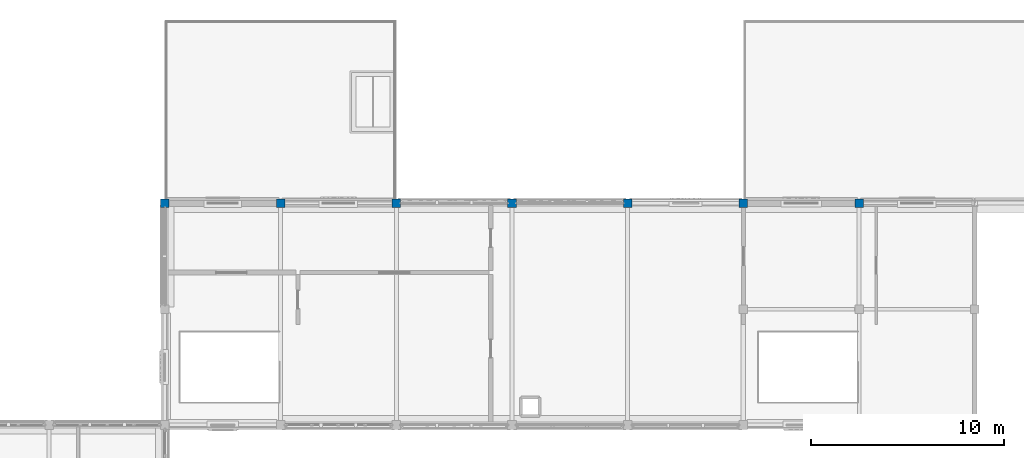
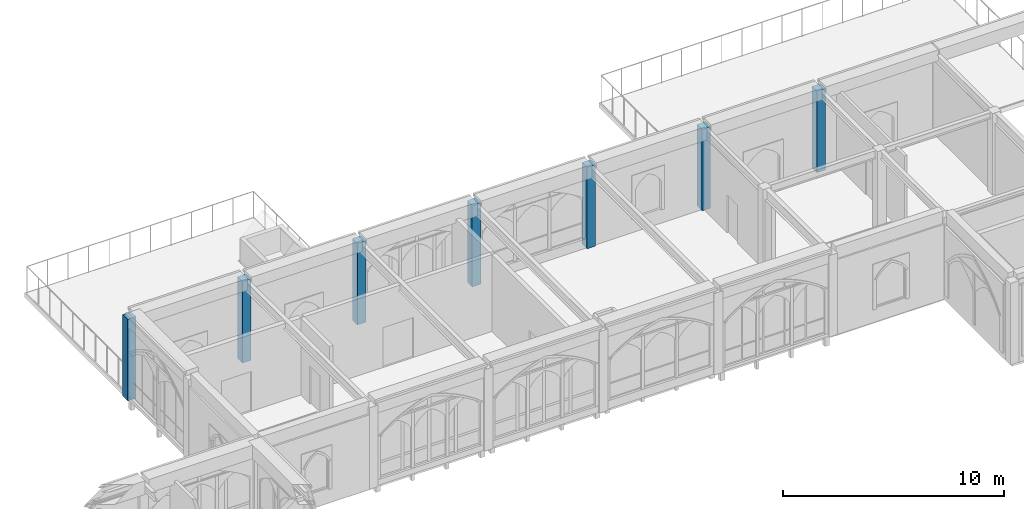
# One storey, part 3 of 59: 7 columns.
"""IFC4 building model written with IfcOpenShell, lengths in metres."""

from ifc_helpers import new_model, si_unit, direction, frame, origin, origin_2d, place, context, subcontext, project, spatial, rectangle, extrude, material, material_profile, profile_set, type_object, element, save


model = new_model("IFC4")

# Units and contexts
model_context = context("Model", 3, precision=1e-05, world=origin(), true_north=direction((0.0, 1.0)))
body_context = subcontext(model_context, "Body", "Model", "MODEL_VIEW")
ifc_project = project(units=[si_unit("LENGTHUNIT", "METRE"), si_unit("AREAUNIT", "SQUARE_METRE"), si_unit("VOLUMEUNIT", "CUBIC_METRE"), si_unit("PLANEANGLEUNIT", "RADIAN"), si_unit("MASSUNIT", "GRAM", prefix="KILO")], contexts=[model_context])

# Site, building, storey
site_placement = place(None, origin())
site = spatial("IfcSite", under=ifc_project, at=site_placement, CompositionType="ELEMENT")
building_placement = place(site_placement, origin())
building = spatial("IfcBuilding", under=site, at=building_placement, Name="Cumevento Cable Car Station", CompositionType="ELEMENT")
storey_placement = place(building_placement, frame((0.0, 0.0, 18.0)))
storey = spatial("IfcBuildingStorey", under=building, at=storey_placement, Name="L05", CompositionType="ELEMENT", Elevation=18.0)

# Columns
ifc_material = material(Name="Concrete C40/50", Category="concrete")
ifc_material_profile = material_profile(ifc_material, rectangle(XDim=0.449951171875, YDim=0.449951171875, at=origin_2d()), Name="RC450x450")
ifc_profile_set = profile_set([ifc_material_profile], Name="Concrete C40/50")
column_type = type_object("IfcColumnType", Name="Column C-RC450 RC450x450", PredefinedType="COLUMN", material=ifc_profile_set)
for number, where, z_axis, x_axis, name in (
    (1, (22.0, 56.5, 0.0), (0.0, 0.0, 1.0), (1.0, 0.0, 0.0), "Column C-RC450 L05 (22.0,56.5)"),
    (2, (28.0, 56.5, 0.0), (0.0, 0.0, 1.0), (1.0, 0.0, 0.0), "Column C-RC450 L05 (28.0,56.5)"),
    (3, (34.0, 56.5, 0.0), (0.0, 0.0, 1.0), (1.0, 0.0, 0.0), "Column C-RC450 L05 (34.0,56.5)"),
    (4, (40.0, 56.5, 0.0), (0.0, 0.0, 1.0), (1.0, 0.0, 0.0), "Column C-RC450 L05 (40.0,56.5)"),
    (5, (46.0, 56.5, 0.0), (0.0, 0.0, 1.0), (1.0, 0.0, 0.0), "Column C-RC450 L05 (46.0,56.5)"),
    (6, (52.0, 56.5, 0.0), (0.0, 0.0, 1.0), (1.0, 0.0, 0.0), "Column C-RC450 L05 (52.0,56.5)"),
    (7, (58.0, 56.5, 0.0), (0.0, 0.0, 1.0), (1.0, 0.0, 0.0), "Column C-RC450 L05 (58.0,56.5)"),
):
    element("IfcColumn", number, at=place(storey_placement, frame(where, z_axis=z_axis, x_axis=x_axis)), inside=storey, type_object=column_type, Name=name, PredefinedType="COLUMN", context=body_context, shape_type="SweptSolid", body=[
        extrude(rectangle(XDim=0.449951171875, YDim=0.449951171875, at=origin_2d()), origin(), (0.0, 0.0, 1.0), 4.5),
    ])

save(model, "model.ifc")
